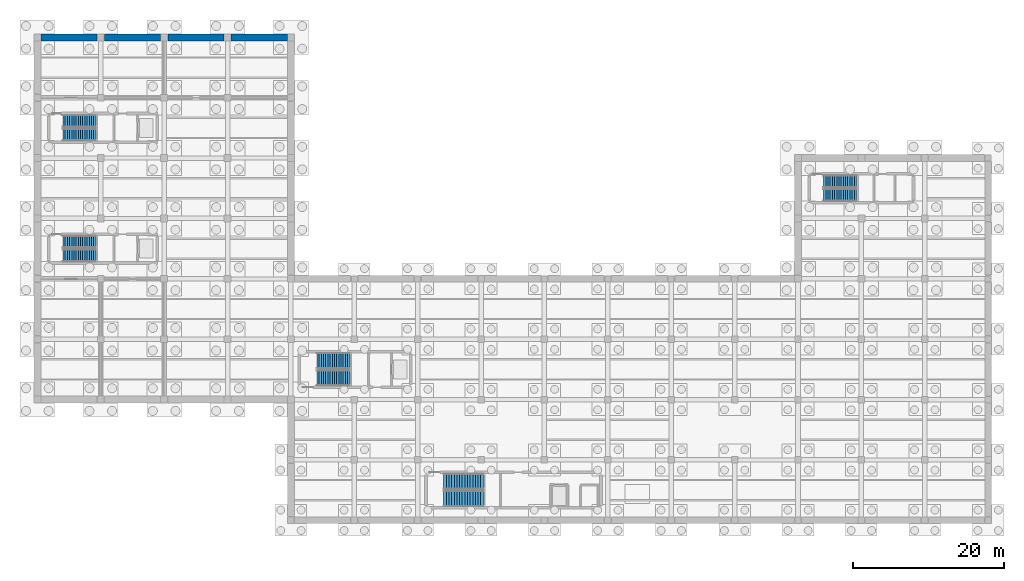
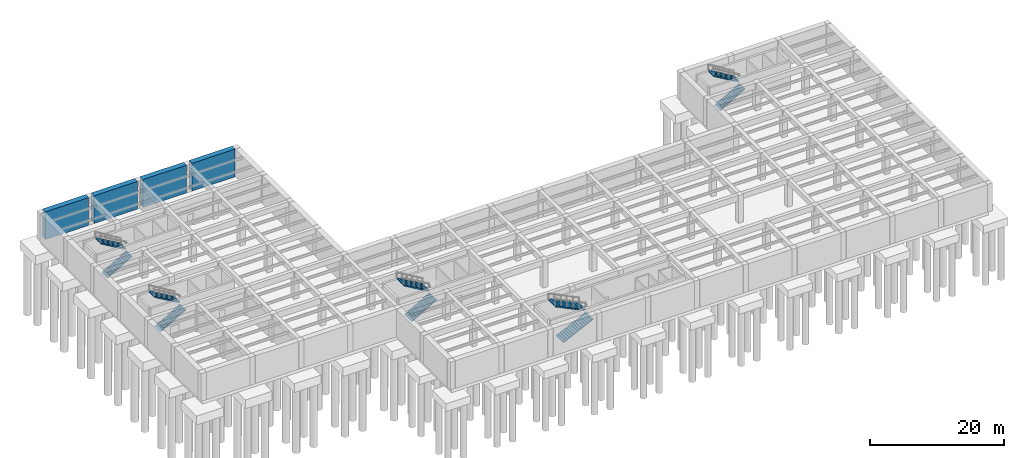
# One storey, part 8 of 12: 10 stair flights, 4 walls, 5 elements without a shape of their own.
"""IFC4 building model written with IfcOpenShell, lengths in metres."""

import ifcopenshell
import ifcopenshell.guid

model = None  # the IFC model being written
_history = None  # IfcOwnerHistory: only IFC2X3 demands one
_inside = {}  # id of a spatial element -> (the spatial element, [elements in it])
_under = {}  # id of a project, library or spatial element -> (it, [spatial elements below it])
_declared = {}  # id of a project -> (the project, [libraries it declares])
_typed = {}  # id of a type object -> (the type object, [elements of that type])
_made_of = {}  # id of a material, layer set ... -> (it, [elements and type objects made of it])


def new_model(schema):
    """Start an empty IFC model of exactly this schema.

    Asked for "IFC4X3", IfcOpenShell would pick the latest addendum, in which some entities
    have other attributes; the version numbers below select the first issue.
    IFC2X3 requires an IfcOwnerHistory on every rooted entity: one is made here for all.
    """
    global model, _history
    if schema == "IFC4X3":
        model = ifcopenshell.file(schema_version=(4, 3, 0, 0))
    else:
        model = ifcopenshell.file(schema=schema)
    _inside.clear()
    _under.clear()
    _declared.clear()
    _typed.clear()
    _made_of.clear()
    _history = None
    if model.schema == "IFC2X3":
        org = make("IfcOrganization", Name="unknown")
        user = make(
            "IfcPersonAndOrganization",
            ThePerson=make("IfcPerson", FamilyName="unknown"),
            TheOrganization=org,
        )
        app = make(
            "IfcApplication",
            ApplicationDeveloper=org,
            Version="unknown",
            ApplicationFullName="unknown",
            ApplicationIdentifier="unknown",
        )
        _history = make(
            "IfcOwnerHistory",
            OwningUser=user,
            OwningApplication=app,
            ChangeAction="ADDED",
            CreationDate=0,
        )
    return model


def make(cls, **values):
    """One entity of the class cls with the attributes given. An attribute that is None is left unset."""
    return model.create_entity(
        cls, **{name: value for name, value in values.items() if value is not None}
    )


def rooted(cls, **values):
    """An entity with a GlobalId (a new one), such as an element, a storey or a relation."""
    return make(cls, GlobalId=ifcopenshell.guid.new(), OwnerHistory=_history, **values)


def si_unit(unit_type, name, prefix=None):
    """IfcSIUnit, for example si_unit("LENGTHUNIT", "METRE", prefix="MILLI")."""
    return make("IfcSIUnit", UnitType=unit_type, Prefix=prefix, Name=name)


def assignment(units):
    """IfcUnitAssignment: the units of a project."""
    return None if units is None else make("IfcUnitAssignment", Units=units)


def point(xyz):
    """IfcCartesianPoint."""
    return None if xyz is None else make("IfcCartesianPoint", Coordinates=xyz)


def direction(xyz):
    """IfcDirection."""
    return None if xyz is None else make("IfcDirection", DirectionRatios=xyz)


def frame(location, z_axis=None, x_axis=None):
    """IfcAxis2Placement3D, a coordinate frame: its origin and axes. An axis left out is left unset."""
    return make(
        "IfcAxis2Placement3D",
        Location=point(location),
        Axis=direction(z_axis),
        RefDirection=direction(x_axis),
    )


def frame_2d(location, x_axis=None):
    """IfcAxis2Placement2D, a coordinate frame in the plane: its origin and x axis."""
    return make(
        "IfcAxis2Placement2D", Location=point(location), RefDirection=direction(x_axis)
    )


def origin():
    """The frame at (0, 0, 0) with its axes left unset."""
    return frame((0.0, 0.0, 0.0))


def place(relative_to, where):
    """IfcLocalPlacement: puts the frame where relative to a parent placement (None: the world)."""
    return make(
        "IfcLocalPlacement", PlacementRelTo=relative_to, RelativePlacement=where
    )


def context(
    kind, dimensions, precision=None, world=None, true_north=None, identifier=None
):
    """IfcGeometricRepresentationContext, for example the 3D "Model" context."""
    return make(
        "IfcGeometricRepresentationContext",
        ContextIdentifier=identifier,
        ContextType=kind,
        CoordinateSpaceDimension=dimensions,
        Precision=precision,
        WorldCoordinateSystem=world,
        TrueNorth=true_north,
    )


def subcontext(parent, identifier, kind, view, scale=None):
    """IfcGeometricRepresentationSubContext, for example "Body" below "Model"."""
    return make(
        "IfcGeometricRepresentationSubContext",
        ContextIdentifier=identifier,
        ContextType=kind,
        ParentContext=parent,
        TargetScale=scale,
        TargetView=view,
    )


def project(units=None, contexts=None):
    """IfcProject with its units and contexts."""
    return rooted(
        "IfcProject",
        Name="project",
        RepresentationContexts=contexts,
        UnitsInContext=assignment(units),
    )


def spatial(cls, under=None, at=None, **own):
    """A site, building, storey or space (cls), placed at a placement, below another one or the project."""
    s = rooted(cls, ObjectPlacement=at, **own)
    if under is not None:
        _under.setdefault(under.id(), (under, []))[1].append(s)
    return s


def polyline(points):
    """IfcPolyline through the points."""
    return make("IfcPolyline", Points=[point(p) for p in points])


def profile(cls, at=None, kind="AREA", **sizes):
    """A parametric profile (cls). Its sizes go by their IFC names, for example OverallWidth=200.0."""
    return make(cls, ProfileType=kind, Position=at, **sizes)


def rectangle(**sizes):
    """IfcRectangleProfileDef."""
    return profile("IfcRectangleProfileDef", **sizes)


def outline(outer, holes=None, kind="AREA"):
    """IfcArbitraryClosedProfileDef: a profile drawn as a closed curve; with holes, ...WithVoids."""
    if holes is None:
        return make("IfcArbitraryClosedProfileDef", ProfileType=kind, OuterCurve=outer)
    return make(
        "IfcArbitraryProfileDefWithVoids",
        ProfileType=kind,
        OuterCurve=outer,
        InnerCurves=holes,
    )


def extrude(swept, where, along, depth):
    """IfcExtrudedAreaSolid: the profile swept, set in the frame where, extruded along a direction by depth."""
    return make(
        "IfcExtrudedAreaSolid",
        SweptArea=swept,
        Position=where,
        ExtrudedDirection=direction(along),
        Depth=depth,
    )


def shape(context_of_items, identifier, shape_type, items):
    """IfcShapeRepresentation: the items that make up one representation, for example the "Body"."""
    return make(
        "IfcShapeRepresentation",
        ContextOfItems=context_of_items,
        RepresentationIdentifier=identifier,
        RepresentationType=shape_type,
        Items=items,
    )


def material(Name=None, Category=None):
    """IfcMaterial."""
    return make("IfcMaterial", Name=Name, Category=Category)


def layer(
    of_material, thickness, ventilated=None, Name=None, Category=None, Priority=None
):
    """IfcMaterialLayer: one layer of a wall or slab, of a material (None: an air gap)."""
    return make(
        "IfcMaterialLayer",
        Material=of_material,
        LayerThickness=thickness,
        IsVentilated=ventilated,
        Name=Name,
        Category=Category,
        Priority=Priority,
    )


def layer_set(layers, Name=None):
    """IfcMaterialLayerSet."""
    return make("IfcMaterialLayerSet", MaterialLayers=layers, LayerSetName=Name)


def made_of(thing, what):
    """Note that an element or type object is made of a material, layer set ...; save() writes the relation."""
    if what is not None:
        _made_of.setdefault(what.id(), (what, []))[1].append(thing)
    return thing


def type_object(cls, material=None, **own):
    """A type object (cls), such as IfcWallType, which elements share."""
    return made_of(rooted(cls, **own), material)


def element(
    cls,
    number,
    at=None,
    inside=None,
    cuts=None,
    type_object=None,
    material=None,
    context=None,
    identifier="Body",
    shape_type=None,
    held_by="IfcProductDefinitionShape",
    body=None,
    shapes=None,
    **own,
):
    """One element of the class cls, such as IfcWall. Its Tag is "e" and its number.

    at: its placement. inside: the storey or other place that contains it. cuts: it is an
    opening in that element (IfcRelVoidsElement). A single representation is given by context,
    identifier, shape_type and body (its items); several are given by shapes. held_by: the class
    of the entity that holds the representations. save() writes the other relations.
    """
    e = rooted(cls, Tag="e%d" % number, ObjectPlacement=at, **own)
    if body is not None:
        shapes = [shape(context, identifier, shape_type, body)]
    if shapes is not None:
        e.Representation = make(held_by, Representations=shapes)
    if inside is not None:
        _inside.setdefault(inside.id(), (inside, []))[1].append(e)
    if cuts is not None:
        rooted(
            "IfcRelVoidsElement", RelatingBuildingElement=cuts, RelatedOpeningElement=e
        )
    if type_object is not None:
        _typed.setdefault(type_object.id(), (type_object, []))[1].append(e)
    return made_of(e, material)


def aggregate(whole, parts):
    """IfcRelAggregates: a whole, such as a stair, and the parts it consists of."""
    return rooted("IfcRelAggregates", RelatingObject=whole, RelatedObjects=parts)


def save(model, path):
    """Write the relations noted so far, then the file.

    IfcRelAggregates (storeys below a building ...), IfcRelContainedInSpatialStructure (elements
    in a storey), IfcRelDefinesByType, IfcRelAssociatesMaterial and IfcRelDeclares: one each for
    every whole, place, type object, material and project.
    """
    for whole, parts in _under.values():
        aggregate(whole, parts)
    for where, things in _inside.values():
        rooted(
            "IfcRelContainedInSpatialStructure",
            RelatedElements=things,
            RelatingStructure=where,
        )
    for kind, things in _typed.values():
        rooted("IfcRelDefinesByType", RelatedObjects=things, RelatingType=kind)
    for what, things in _made_of.values():
        rooted("IfcRelAssociatesMaterial", RelatedObjects=things, RelatingMaterial=what)
    for by, libraries in _declared.values():
        rooted("IfcRelDeclares", RelatingContext=by, RelatedDefinitions=libraries)
    model.write(path)


model = new_model("IFC4")

# Units and contexts
model_context = context("Model", 3, precision=1e-05, world=origin(), true_north=direction((0.0, 1.0)))
body_context = subcontext(model_context, "Body", "Model", "MODEL_VIEW")
ifc_project = project(units=[si_unit("LENGTHUNIT", "METRE"), si_unit("AREAUNIT", "SQUARE_METRE"), si_unit("VOLUMEUNIT", "CUBIC_METRE"), si_unit("PLANEANGLEUNIT", "RADIAN"), si_unit("MASSUNIT", "GRAM", prefix="KILO")], contexts=[model_context])

# Site, building, storey
site_placement = place(None, origin())
site = spatial("IfcSite", under=ifc_project, at=site_placement, CompositionType="ELEMENT")
building_placement = place(site_placement, origin())
building = spatial("IfcBuilding", under=site, at=building_placement, Name="Kranzveld Transit Interchange", CompositionType="ELEMENT")
storey_placement = place(building_placement, frame((0.0, 0.0, -10.8798828125)))
storey = spatial("IfcBuildingStorey", under=building, at=storey_placement, Name="B2", CompositionType="ELEMENT", Elevation=-10.8798828125)

# Walls
ifc_material_1 = material(Name="Concrete C40/50", Category="concrete")
ifc_layer = layer(ifc_material_1, 0.89990234375)
ifc_layer_set = layer_set([ifc_layer], Name="Concrete C40/50")
wall_type = type_object("IfcWallType", Name="Diaphragm Wall RC 900 C40/50", PredefinedType="SHEAR", material=ifc_layer_set)
wall_1_placement = place(storey_placement, frame((0.47998046875, 96.0, 0.0), z_axis=(0.0, 0.0, 1.0), x_axis=(1.0, 0.0, 0.0)))
element("IfcWall", 1, at=wall_1_placement, inside=storey, type_object=wall_type, Name="B2 Perimeter Retaining Wall 24", PredefinedType="SHEAR", context=body_context, shape_type="SweptSolid", body=[
    extrude(rectangle(XDim=7.43994140625, YDim=0.89990234375, at=frame_2d((3.719970703125, 0.0))), origin(), (0.0, 0.0, 1.0), 5.039794921875),
])
wall_2_placement = place(storey_placement, frame((8.8798828125, 96.0, 0.0), z_axis=(0.0, 0.0, 1.0), x_axis=(1.0, 0.0, 0.0)))
element("IfcWall", 2, at=wall_2_placement, inside=storey, type_object=wall_type, Name="B2 Perimeter Retaining Wall 25", PredefinedType="SHEAR", context=body_context, shape_type="SweptSolid", body=[
    extrude(rectangle(XDim=7.440185546875, YDim=0.89990234375, at=frame_2d((3.72021484375, 0.0))), origin(), (0.0, 0.0, 1.0), 5.039794921875),
])
wall_3_placement = place(storey_placement, frame((17.280029296875, 96.0, 0.0), z_axis=(0.0, 0.0, 1.0), x_axis=(1.0, 0.0, 0.0)))
element("IfcWall", 3, at=wall_3_placement, inside=storey, type_object=wall_type, Name="B2 Perimeter Retaining Wall 26", PredefinedType="SHEAR", context=body_context, shape_type="SweptSolid", body=[
    extrude(rectangle(XDim=7.43994140625, YDim=0.89990234375, at=frame_2d((3.719970703125, 0.0))), origin(), (0.0, 0.0, 1.0), 5.039794921875),
])
wall_4_placement = place(storey_placement, frame((25.679931640625, 96.0, 0.0), z_axis=(0.0, 0.0, 1.0), x_axis=(1.0, 0.0, 0.0)))
element("IfcWall", 4, at=wall_4_placement, inside=storey, type_object=wall_type, Name="B2 Perimeter Retaining Wall 27", PredefinedType="SHEAR", context=body_context, shape_type="SweptSolid", body=[
    extrude(rectangle(XDim=7.440185546875, YDim=0.89990234375, at=frame_2d((3.72021484375, 0.0))), origin(), (0.0, 0.0, 1.0), 5.039794921875),
])

# Stair, stair flights
ifc_material_2 = material(Name="Concrete C35/45", Category="concrete")
stair_type_1 = type_object("IfcStairType", Name="Dogleg Stair 1650W H5440 C35/45", PredefinedType="HALF_TURN_STAIR", material=ifc_material_2)
stair_1_placement = place(storey_placement, origin())
stair_1 = element("IfcStair", 5, at=stair_1_placement, inside=storey, type_object=stair_type_1, Name="B2 Operations Core C1", PredefinedType="HALF_TURN_STAIR")
ifc_material_3 = material(Name="Concrete C35/45", Category="concrete")
stair_flight_type_1 = type_object("IfcStairFlightType", Name="Stair Flight 1650W H5440 C35/45", PredefinedType="STRAIGHT", material=ifc_material_3)
stair_flight_1_placement = place(storey_placement, frame((3.39990234375, 67.094970703125, 0.0), z_axis=(0.0, 0.0, 1.0), x_axis=(1.0, 0.0, 0.0)))
stair_flight_1 = element("IfcStairFlight", 6, at=stair_flight_1_placement, type_object=stair_flight_type_1, Name="ST-C1 flight 1", NumberOfRisers=16, NumberOfTreads=15, PredefinedType="STRAIGHT", RiserHeight=0.17, TreadLength=0.29, context=body_context, shape_type="SweptSolid", body=[
    extrude(outline(polyline([(0.0, 0.0), (0.0, 0.169921875), (0.2900390625, 0.169921875), (0.2900390625, 0.340087890625), (0.580078125, 0.340087890625), (0.580078125, 0.510009765625), (0.8701171875, 0.510009765625), (0.8701171875, 0.679931640625), (1.159912109375, 0.679931640625), (1.159912109375, 0.85009765625), (1.449951171875, 0.85009765625), (1.449951171875, 1.02001953125), (1.739990234375, 1.02001953125), (1.739990234375, 1.18994140625), (2.030029296875, 1.18994140625), (2.030029296875, 1.360107421875), (2.320068359375, 1.360107421875), (2.320068359375, 1.530029296875), (2.610107421875, 1.530029296875), (2.610107421875, 1.699951171875), (2.89990234375, 1.699951171875), (2.89990234375, 1.8701171875), (3.18994140625, 1.8701171875), (3.18994140625, 2.0400390625), (3.47998046875, 2.0400390625), (3.47998046875, 2.2099609375), (3.77001953125, 2.2099609375), (3.77001953125, 2.3798828125), (4.06005859375, 2.3798828125), (4.06005859375, 2.550048828125), (4.35009765625, 2.550048828125), (4.35009765625, 2.719970703125), (4.35009765625, 2.36474609375), (0.316162109375, 0.0), (0.0, 0.0)])), frame((0.0, 0.824951171875, 0.0), z_axis=(0.0, -1.0, 0.0), x_axis=(1.0, 0.0, 0.0)), (0.0, 0.0, 1.0), 1.64990234375),
])
stair_flight_2_placement = place(storey_placement, frame((7.75, 68.905029296875, 2.719970703125), z_axis=(0.0, 0.0, 1.0), x_axis=(-1.0, 0.0, 0.0)))
stair_flight_2 = element("IfcStairFlight", 7, at=stair_flight_2_placement, type_object=stair_flight_type_1, Name="ST-C1 flight 2", NumberOfRisers=16, NumberOfTreads=15, PredefinedType="STRAIGHT", RiserHeight=0.17, TreadLength=0.29, context=body_context, shape_type="SweptSolid", body=[
    extrude(outline(polyline([(0.0, 0.0), (0.0, 0.169921875), (0.2900390625, 0.169921875), (0.2900390625, 0.340087890625), (0.580078125, 0.340087890625), (0.580078125, 0.510009765625), (0.8701171875, 0.510009765625), (0.8701171875, 0.679931640625), (1.159912109375, 0.679931640625), (1.159912109375, 0.85009765625), (1.449951171875, 0.85009765625), (1.449951171875, 1.02001953125), (1.739990234375, 1.02001953125), (1.739990234375, 1.18994140625), (2.030029296875, 1.18994140625), (2.030029296875, 1.360107421875), (2.320068359375, 1.360107421875), (2.320068359375, 1.530029296875), (2.610107421875, 1.530029296875), (2.610107421875, 1.699951171875), (2.89990234375, 1.699951171875), (2.89990234375, 1.8701171875), (3.18994140625, 1.8701171875), (3.18994140625, 2.0400390625), (3.47998046875, 2.0400390625), (3.47998046875, 2.2099609375), (3.77001953125, 2.2099609375), (3.77001953125, 2.3798828125), (4.06005859375, 2.3798828125), (4.06005859375, 2.550048828125), (4.35009765625, 2.550048828125), (4.35009765625, 2.719970703125), (4.35009765625, 2.36474609375), (0.316162109375, 0.0), (0.0, 0.0)])), frame((0.0, 0.824951171875, 0.0), z_axis=(0.0, -1.0, 0.0), x_axis=(1.0, 0.0, 0.0)), (0.0, 0.0, 1.0), 1.64990234375),
])
aggregate(stair_1, [stair_flight_1, stair_flight_2])

stair_2_placement = place(storey_placement, origin())
stair_2 = element("IfcStair", 8, at=stair_2_placement, inside=storey, type_object=stair_type_1, Name="B2 Operations Core C2", PredefinedType="HALF_TURN_STAIR")
stair_flight_3_placement = place(storey_placement, frame((3.39990234375, 83.094970703125, 0.0), z_axis=(0.0, 0.0, 1.0), x_axis=(1.0, 0.0, 0.0)))
stair_flight_3 = element("IfcStairFlight", 9, at=stair_flight_3_placement, type_object=stair_flight_type_1, Name="ST-C2 flight 1", NumberOfRisers=16, NumberOfTreads=15, PredefinedType="STRAIGHT", RiserHeight=0.17, TreadLength=0.29, context=body_context, shape_type="SweptSolid", body=[
    extrude(outline(polyline([(0.0, 0.0), (0.0, 0.169921875), (0.2900390625, 0.169921875), (0.2900390625, 0.340087890625), (0.580078125, 0.340087890625), (0.580078125, 0.510009765625), (0.8701171875, 0.510009765625), (0.8701171875, 0.679931640625), (1.159912109375, 0.679931640625), (1.159912109375, 0.85009765625), (1.449951171875, 0.85009765625), (1.449951171875, 1.02001953125), (1.739990234375, 1.02001953125), (1.739990234375, 1.18994140625), (2.030029296875, 1.18994140625), (2.030029296875, 1.360107421875), (2.320068359375, 1.360107421875), (2.320068359375, 1.530029296875), (2.610107421875, 1.530029296875), (2.610107421875, 1.699951171875), (2.89990234375, 1.699951171875), (2.89990234375, 1.8701171875), (3.18994140625, 1.8701171875), (3.18994140625, 2.0400390625), (3.47998046875, 2.0400390625), (3.47998046875, 2.2099609375), (3.77001953125, 2.2099609375), (3.77001953125, 2.3798828125), (4.06005859375, 2.3798828125), (4.06005859375, 2.550048828125), (4.35009765625, 2.550048828125), (4.35009765625, 2.719970703125), (4.35009765625, 2.36474609375), (0.316162109375, 0.0), (0.0, 0.0)])), frame((0.0, 0.824951171875, 0.0), z_axis=(0.0, -1.0, 0.0), x_axis=(1.0, 0.0, 0.0)), (0.0, 0.0, 1.0), 1.64990234375),
])
stair_flight_4_placement = place(storey_placement, frame((7.75, 84.905029296875, 2.719970703125), z_axis=(0.0, 0.0, 1.0), x_axis=(-1.0, 0.0, 0.0)))
stair_flight_4 = element("IfcStairFlight", 10, at=stair_flight_4_placement, type_object=stair_flight_type_1, Name="ST-C2 flight 2", NumberOfRisers=16, NumberOfTreads=15, PredefinedType="STRAIGHT", RiserHeight=0.17, TreadLength=0.29, context=body_context, shape_type="SweptSolid", body=[
    extrude(outline(polyline([(0.0, 0.0), (0.0, 0.169921875), (0.2900390625, 0.169921875), (0.2900390625, 0.340087890625), (0.580078125, 0.340087890625), (0.580078125, 0.510009765625), (0.8701171875, 0.510009765625), (0.8701171875, 0.679931640625), (1.159912109375, 0.679931640625), (1.159912109375, 0.85009765625), (1.449951171875, 0.85009765625), (1.449951171875, 1.02001953125), (1.739990234375, 1.02001953125), (1.739990234375, 1.18994140625), (2.030029296875, 1.18994140625), (2.030029296875, 1.360107421875), (2.320068359375, 1.360107421875), (2.320068359375, 1.530029296875), (2.610107421875, 1.530029296875), (2.610107421875, 1.699951171875), (2.89990234375, 1.699951171875), (2.89990234375, 1.8701171875), (3.18994140625, 1.8701171875), (3.18994140625, 2.0400390625), (3.47998046875, 2.0400390625), (3.47998046875, 2.2099609375), (3.77001953125, 2.2099609375), (3.77001953125, 2.3798828125), (4.06005859375, 2.3798828125), (4.06005859375, 2.550048828125), (4.35009765625, 2.550048828125), (4.35009765625, 2.719970703125), (4.35009765625, 2.36474609375), (0.316162109375, 0.0), (0.0, 0.0)])), frame((0.0, 0.824951171875, 0.0), z_axis=(0.0, -1.0, 0.0), x_axis=(1.0, 0.0, 0.0)), (0.0, 0.0, 1.0), 1.64990234375),
])
aggregate(stair_2, [stair_flight_3, stair_flight_4])

stair_3_placement = place(storey_placement, origin())
stair_3 = element("IfcStair", 11, at=stair_3_placement, inside=storey, type_object=stair_type_1, Name="B2 Community Core C3", PredefinedType="HALF_TURN_STAIR")
stair_flight_5_placement = place(storey_placement, frame((104.199951171875, 75.094970703125, 0.0), z_axis=(0.0, 0.0, 1.0), x_axis=(1.0, 0.0, 0.0)))
stair_flight_5 = element("IfcStairFlight", 12, at=stair_flight_5_placement, type_object=stair_flight_type_1, Name="ST-V4A flight 1", NumberOfRisers=16, NumberOfTreads=15, PredefinedType="STRAIGHT", RiserHeight=0.17, TreadLength=0.29, context=body_context, shape_type="SweptSolid", body=[
    extrude(outline(polyline([(0.0, 0.0), (0.0, 0.169921875), (0.2900390625, 0.169921875), (0.2900390625, 0.340087890625), (0.580078125, 0.340087890625), (0.580078125, 0.510009765625), (0.8701171875, 0.510009765625), (0.8701171875, 0.679931640625), (1.159912109375, 0.679931640625), (1.159912109375, 0.85009765625), (1.449951171875, 0.85009765625), (1.449951171875, 1.02001953125), (1.739990234375, 1.02001953125), (1.739990234375, 1.18994140625), (2.030029296875, 1.18994140625), (2.030029296875, 1.360107421875), (2.320068359375, 1.360107421875), (2.320068359375, 1.530029296875), (2.610107421875, 1.530029296875), (2.610107421875, 1.699951171875), (2.89990234375, 1.699951171875), (2.89990234375, 1.8701171875), (3.18994140625, 1.8701171875), (3.18994140625, 2.0400390625), (3.47998046875, 2.0400390625), (3.47998046875, 2.2099609375), (3.77001953125, 2.2099609375), (3.77001953125, 2.3798828125), (4.06005859375, 2.3798828125), (4.06005859375, 2.550048828125), (4.35009765625, 2.550048828125), (4.35009765625, 2.719970703125), (4.35009765625, 2.36474609375), (0.316162109375, 0.0), (0.0, 0.0)])), frame((0.0, 0.824951171875, 0.0), z_axis=(0.0, -1.0, 0.0), x_axis=(1.0, 0.0, 0.0)), (0.0, 0.0, 1.0), 1.64990234375),
])
stair_flight_6_placement = place(storey_placement, frame((108.550048828125, 76.905029296875, 2.719970703125), z_axis=(0.0, 0.0, 1.0), x_axis=(-1.0, 0.0, 0.0)))
stair_flight_6 = element("IfcStairFlight", 13, at=stair_flight_6_placement, type_object=stair_flight_type_1, Name="ST-V4A flight 2", NumberOfRisers=16, NumberOfTreads=15, PredefinedType="STRAIGHT", RiserHeight=0.17, TreadLength=0.29, context=body_context, shape_type="SweptSolid", body=[
    extrude(outline(polyline([(0.0, 0.0), (0.0, 0.169921875), (0.2900390625, 0.169921875), (0.2900390625, 0.340087890625), (0.580078125, 0.340087890625), (0.580078125, 0.510009765625), (0.8701171875, 0.510009765625), (0.8701171875, 0.679931640625), (1.159912109375, 0.679931640625), (1.159912109375, 0.85009765625), (1.449951171875, 0.85009765625), (1.449951171875, 1.02001953125), (1.739990234375, 1.02001953125), (1.739990234375, 1.18994140625), (2.030029296875, 1.18994140625), (2.030029296875, 1.360107421875), (2.320068359375, 1.360107421875), (2.320068359375, 1.530029296875), (2.610107421875, 1.530029296875), (2.610107421875, 1.699951171875), (2.89990234375, 1.699951171875), (2.89990234375, 1.8701171875), (3.18994140625, 1.8701171875), (3.18994140625, 2.0400390625), (3.47998046875, 2.0400390625), (3.47998046875, 2.2099609375), (3.77001953125, 2.2099609375), (3.77001953125, 2.3798828125), (4.06005859375, 2.3798828125), (4.06005859375, 2.550048828125), (4.35009765625, 2.550048828125), (4.35009765625, 2.719970703125), (4.35009765625, 2.36474609375), (0.316162109375, 0.0), (0.0, 0.0)])), frame((0.0, 0.824951171875, 0.0), z_axis=(0.0, -1.0, 0.0), x_axis=(1.0, 0.0, 0.0)), (0.0, 0.0, 1.0), 1.64990234375),
])
aggregate(stair_3, [stair_flight_5, stair_flight_6])

ifc_material_4 = material(Name="Concrete C35/45", Category="concrete")
stair_type_2 = type_object("IfcStairType", Name="Dogleg Stair 2100W H5440 C35/45", PredefinedType="HALF_TURN_STAIR", material=ifc_material_4)
stair_4_placement = place(storey_placement, origin())
stair_4 = element("IfcStair", 14, at=stair_4_placement, inside=storey, type_object=stair_type_2, Name="B2 Metro West Core C5", PredefinedType="HALF_TURN_STAIR")
ifc_material_5 = material(Name="Concrete C35/45", Category="concrete")
stair_flight_type_2 = type_object("IfcStairFlightType", Name="Stair Flight 2100W H5440 C35/45", PredefinedType="STRAIGHT", material=ifc_material_5)
stair_flight_7_placement = place(storey_placement, frame((37.050048828125, 50.8701171875, 0.0), z_axis=(0.0, 0.0, 1.0), x_axis=(1.0, 0.0, 0.0)))
stair_flight_7 = element("IfcStairFlight", 15, at=stair_flight_7_placement, type_object=stair_flight_type_2, Name="ST-M1 flight 1", NumberOfRisers=16, NumberOfTreads=15, PredefinedType="STRAIGHT", RiserHeight=0.17, TreadLength=0.29, context=body_context, shape_type="SweptSolid", body=[
    extrude(outline(polyline([(0.0, 0.0), (0.0, 0.169921875), (0.2900390625, 0.169921875), (0.2900390625, 0.340087890625), (0.580078125, 0.340087890625), (0.580078125, 0.510009765625), (0.8701171875, 0.510009765625), (0.8701171875, 0.679931640625), (1.159912109375, 0.679931640625), (1.159912109375, 0.85009765625), (1.449951171875, 0.85009765625), (1.449951171875, 1.02001953125), (1.739990234375, 1.02001953125), (1.739990234375, 1.18994140625), (2.030029296875, 1.18994140625), (2.030029296875, 1.360107421875), (2.320068359375, 1.360107421875), (2.320068359375, 1.530029296875), (2.610107421875, 1.530029296875), (2.610107421875, 1.699951171875), (2.89990234375, 1.699951171875), (2.89990234375, 1.8701171875), (3.18994140625, 1.8701171875), (3.18994140625, 2.0400390625), (3.47998046875, 2.0400390625), (3.47998046875, 2.2099609375), (3.77001953125, 2.2099609375), (3.77001953125, 2.3798828125), (4.06005859375, 2.3798828125), (4.06005859375, 2.550048828125), (4.35009765625, 2.550048828125), (4.35009765625, 2.719970703125), (4.35009765625, 2.36474609375), (0.316162109375, 0.0), (0.0, 0.0)])), frame((0.0, 1.050048828125, 0.0), z_axis=(0.0, -1.0, 0.0), x_axis=(1.0, 0.0, 0.0)), (0.0, 0.0, 1.0), 2.10009765625),
])
stair_flight_8_placement = place(storey_placement, frame((41.39990234375, 53.1298828125, 2.719970703125), z_axis=(0.0, 0.0, 1.0), x_axis=(-1.0, 0.0, 0.0)))
stair_flight_8 = element("IfcStairFlight", 16, at=stair_flight_8_placement, type_object=stair_flight_type_2, Name="ST-M1 flight 2", NumberOfRisers=16, NumberOfTreads=15, PredefinedType="STRAIGHT", RiserHeight=0.17, TreadLength=0.29, context=body_context, shape_type="SweptSolid", body=[
    extrude(outline(polyline([(0.0, 0.0), (0.0, 0.169921875), (0.2900390625, 0.169921875), (0.2900390625, 0.340087890625), (0.580078125, 0.340087890625), (0.580078125, 0.510009765625), (0.8701171875, 0.510009765625), (0.8701171875, 0.679931640625), (1.159912109375, 0.679931640625), (1.159912109375, 0.85009765625), (1.449951171875, 0.85009765625), (1.449951171875, 1.02001953125), (1.739990234375, 1.02001953125), (1.739990234375, 1.18994140625), (2.030029296875, 1.18994140625), (2.030029296875, 1.360107421875), (2.320068359375, 1.360107421875), (2.320068359375, 1.530029296875), (2.610107421875, 1.530029296875), (2.610107421875, 1.699951171875), (2.89990234375, 1.699951171875), (2.89990234375, 1.8701171875), (3.18994140625, 1.8701171875), (3.18994140625, 2.0400390625), (3.47998046875, 2.0400390625), (3.47998046875, 2.2099609375), (3.77001953125, 2.2099609375), (3.77001953125, 2.3798828125), (4.06005859375, 2.3798828125), (4.06005859375, 2.550048828125), (4.35009765625, 2.550048828125), (4.35009765625, 2.719970703125), (4.35009765625, 2.36474609375), (0.316162109375, 0.0), (0.0, 0.0)])), frame((0.0, 1.050048828125, 0.0), z_axis=(0.0, -1.0, 0.0), x_axis=(1.0, 0.0, 0.0)), (0.0, 0.0, 1.0), 2.10009765625),
])
aggregate(stair_4, [stair_flight_7, stair_flight_8])

stair_5_placement = place(storey_placement, origin())
stair_5 = element("IfcStair", 17, at=stair_5_placement, inside=storey, type_object=stair_type_2, Name="B2 Metro East & Bus Mezzanine Core C6", PredefinedType="HALF_TURN_STAIR")
stair_flight_9_placement = place(storey_placement, frame((53.85009765625, 34.8701171875, 0.0), z_axis=(0.0, 0.0, 1.0), x_axis=(1.0, 0.0, 0.0)))
stair_flight_9 = element("IfcStairFlight", 18, at=stair_flight_9_placement, type_object=stair_flight_type_2, Name="ST-M2 flight 1", NumberOfRisers=16, NumberOfTreads=15, PredefinedType="STRAIGHT", RiserHeight=0.17, TreadLength=0.35, context=body_context, shape_type="SweptSolid", body=[
    extrude(outline(polyline([(0.0, 0.0), (0.0, 0.169921875), (0.35009765625, 0.169921875), (0.35009765625, 0.340087890625), (0.699951171875, 0.340087890625), (0.699951171875, 0.510009765625), (1.050048828125, 0.510009765625), (1.050048828125, 0.679931640625), (1.39990234375, 0.679931640625), (1.39990234375, 0.85009765625), (1.75, 0.85009765625), (1.75, 1.02001953125), (2.10009765625, 1.02001953125), (2.10009765625, 1.18994140625), (2.449951171875, 1.18994140625), (2.449951171875, 1.360107421875), (2.800048828125, 1.360107421875), (2.800048828125, 1.530029296875), (3.14990234375, 1.530029296875), (3.14990234375, 1.699951171875), (3.5, 1.699951171875), (3.5, 1.8701171875), (3.85009765625, 1.8701171875), (3.85009765625, 2.0400390625), (4.199951171875, 2.0400390625), (4.199951171875, 2.2099609375), (4.550048828125, 2.2099609375), (4.550048828125, 2.3798828125), (4.89990234375, 2.3798828125), (4.89990234375, 2.550048828125), (5.25, 2.550048828125), (5.25, 2.719970703125), (5.25, 2.372314453125), (0.365966796875, 0.0), (0.0, 0.0)])), frame((0.0, 1.050048828125, 0.0), z_axis=(0.0, -1.0, 0.0), x_axis=(1.0, 0.0, 0.0)), (0.0, 0.0, 1.0), 2.10009765625),
])
stair_flight_10_placement = place(storey_placement, frame((59.10009765625, 37.1298828125, 2.719970703125), z_axis=(0.0, 0.0, 1.0), x_axis=(-1.0, 0.0, 0.0)))
stair_flight_10 = element("IfcStairFlight", 19, at=stair_flight_10_placement, type_object=stair_flight_type_2, Name="ST-M2 flight 2", NumberOfRisers=16, NumberOfTreads=15, PredefinedType="STRAIGHT", RiserHeight=0.17, TreadLength=0.35, context=body_context, shape_type="SweptSolid", body=[
    extrude(outline(polyline([(0.0, 0.0), (0.0, 0.169921875), (0.35009765625, 0.169921875), (0.35009765625, 0.340087890625), (0.699951171875, 0.340087890625), (0.699951171875, 0.510009765625), (1.050048828125, 0.510009765625), (1.050048828125, 0.679931640625), (1.39990234375, 0.679931640625), (1.39990234375, 0.85009765625), (1.75, 0.85009765625), (1.75, 1.02001953125), (2.10009765625, 1.02001953125), (2.10009765625, 1.18994140625), (2.449951171875, 1.18994140625), (2.449951171875, 1.360107421875), (2.800048828125, 1.360107421875), (2.800048828125, 1.530029296875), (3.14990234375, 1.530029296875), (3.14990234375, 1.699951171875), (3.5, 1.699951171875), (3.5, 1.8701171875), (3.85009765625, 1.8701171875), (3.85009765625, 2.0400390625), (4.199951171875, 2.0400390625), (4.199951171875, 2.2099609375), (4.550048828125, 2.2099609375), (4.550048828125, 2.3798828125), (4.89990234375, 2.3798828125), (4.89990234375, 2.550048828125), (5.25, 2.550048828125), (5.25, 2.719970703125), (5.25, 2.372314453125), (0.365966796875, 0.0), (0.0, 0.0)])), frame((0.0, 1.050048828125, 0.0), z_axis=(0.0, -1.0, 0.0), x_axis=(1.0, 0.0, 0.0)), (0.0, 0.0, 1.0), 2.10009765625),
])
aggregate(stair_5, [stair_flight_9, stair_flight_10])

save(model, "model.ifc")
